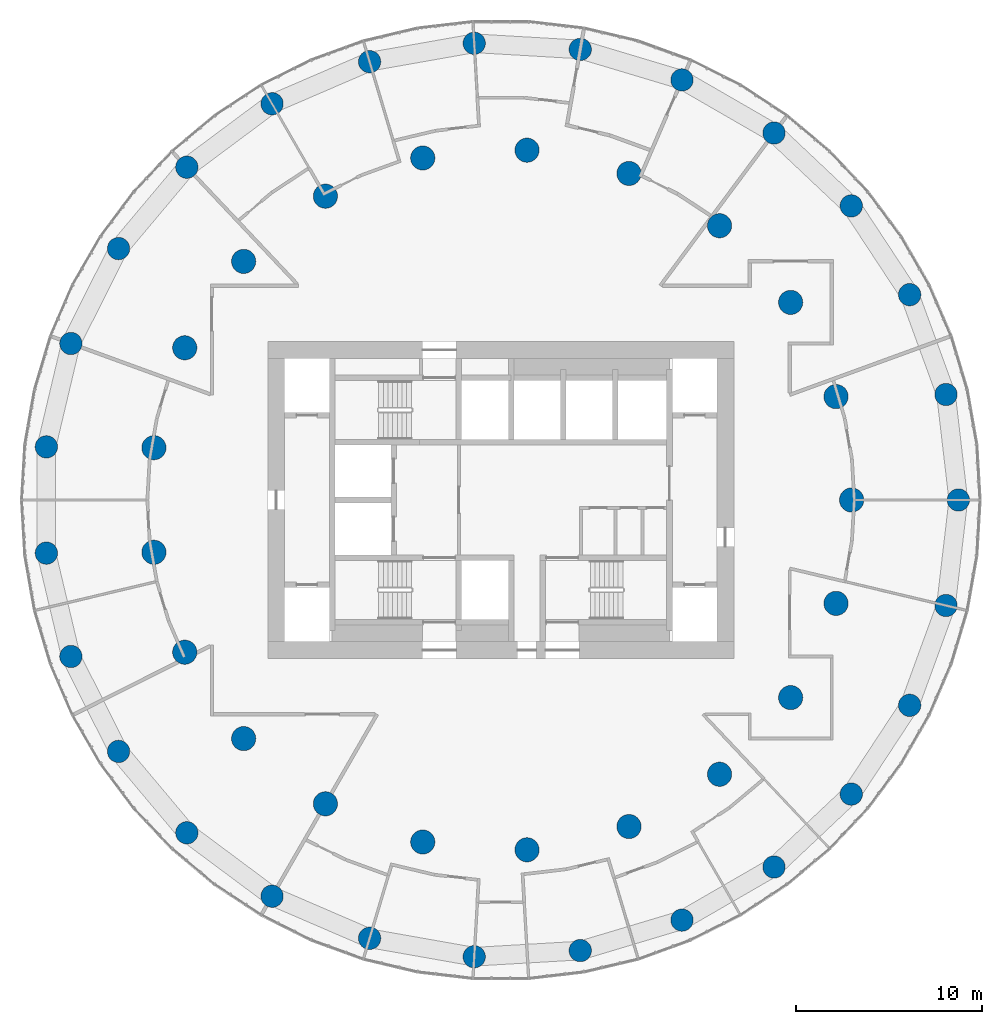
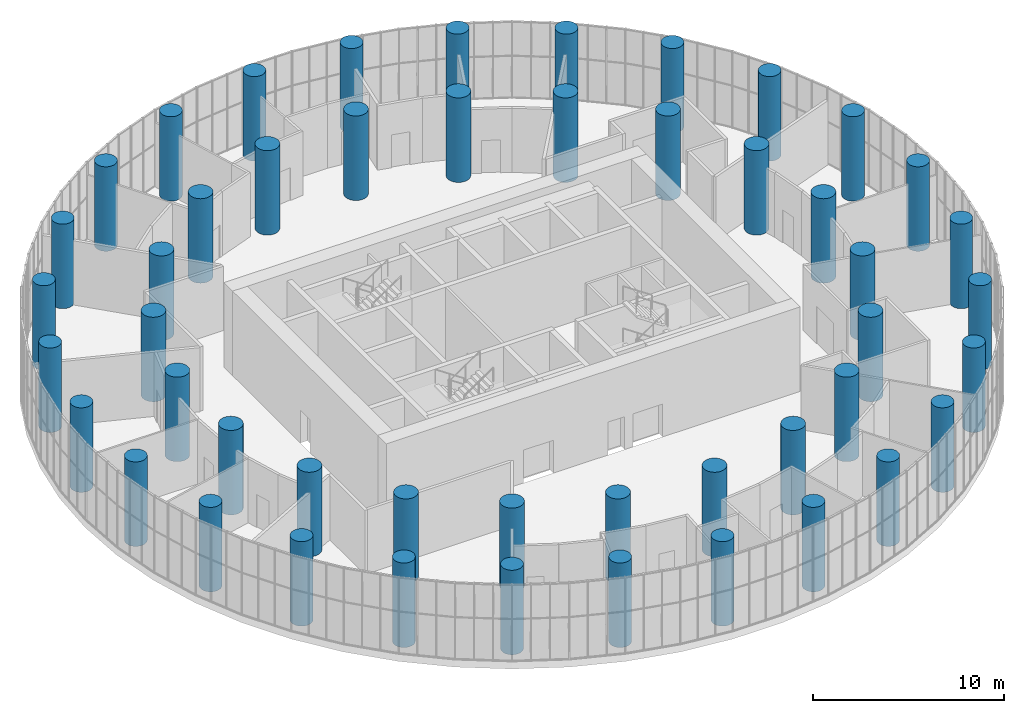
# One storey, part 1 of 21: 48 columns.
"""IFC4 building model written with IfcOpenShell, lengths in metres."""

from ifc_helpers import new_model, si_unit, direction, frame, origin, origin_2d, place, context, subcontext, project, spatial, circle, extrude, material, material_profile, profile_set, type_object, element, save


model = new_model("IFC4")

# Units and contexts
model_context = context("Model", 3, precision=1e-05, world=origin(), true_north=direction((0.0, 1.0)))
body_context = subcontext(model_context, "Body", "Model", "MODEL_VIEW")
ifc_project = project(units=[si_unit("LENGTHUNIT", "METRE"), si_unit("AREAUNIT", "SQUARE_METRE"), si_unit("VOLUMEUNIT", "CUBIC_METRE"), si_unit("PLANEANGLEUNIT", "RADIAN"), si_unit("MASSUNIT", "GRAM", prefix="KILO")], contexts=[model_context])

# Site, building, storey
site_placement = place(None, origin())
site = spatial("IfcSite", under=ifc_project, at=site_placement, CompositionType="ELEMENT")
building_placement = place(site_placement, origin())
building = spatial("IfcBuilding", under=site, at=building_placement, Name="Tracery Tower", CompositionType="ELEMENT")
storey_placement = place(building_placement, frame((0.0, 0.0, 219.60009765625)))
storey = spatial("IfcBuildingStorey", under=building, at=storey_placement, Name="L57", CompositionType="ELEMENT", Elevation=219.60009765625)

# Columns
ifc_material_1 = material(Name="Concrete C50/60", Category="concrete")
ifc_material_profile_1 = material_profile(ifc_material_1, circle(Radius=0.60009765625, at=origin_2d()), Name="RC D1200")
ifc_profile_set_1 = profile_set([ifc_material_profile_1], Name="Concrete C50/60")
column_type_1 = type_object("IfcColumnType", Name="Ring 1 column 1200", PredefinedType="COLUMN", material=ifc_profile_set_1)
for number, where, z_axis, x_axis, name in (
    (1, (24.547607421875, 0.0, 0.0), (0.0, 0.0, 1.0), (1.0, 0.0, 0.0), "Ring 1 column 00 at L57"),
    (2, (23.885986328125, 5.6611328125, 0.0), (0.0, 0.0, 1.0), (1.0, 0.0, 0.0), "Ring 1 column 01 at L57"),
    (3, (21.9365234375, 11.01708984375, 0.0), (0.0, 0.0, 1.0), (1.0, 0.0, 0.0), "Ring 1 column 02 at L57"),
    (4, (18.8046875, 15.779052734375, 0.0), (0.0, 0.0, 1.0), (1.0, 0.0, 0.0), "Ring 1 column 03 at L57"),
    (5, (14.658935546875, 19.690185546875, 0.0), (0.0, 0.0, 1.0), (1.0, 0.0, 0.0), "Ring 1 column 04 at L57"),
    (6, (9.722900390625, 22.5400390625, 0.0), (0.0, 0.0, 1.0), (1.0, 0.0, 0.0), "Ring 1 column 05 at L57"),
    (7, (4.2626953125, 24.1748046875, 0.0), (0.0, 0.0, 1.0), (1.0, 0.0, 0.0), "Ring 1 column 06 at L57"),
    (8, (-1.42724609375, 24.506103515625, 0.0), (0.0, 0.0, 1.0), (1.0, 0.0, 0.0), "Ring 1 column 07 at L57"),
    (9, (-7.040283203125, 23.516357421875, 0.0), (0.0, 0.0, 1.0), (1.0, 0.0, 0.0), "Ring 1 column 08 at L57"),
    (10, (-12.273681640625, 21.2587890625, 0.0), (0.0, 0.0, 1.0), (1.0, 0.0, 0.0), "Ring 1 column 09 at L57"),
    (11, (-16.845703125, 17.855224609375, 0.0), (0.0, 0.0, 1.0), (1.0, 0.0, 0.0), "Ring 1 column 10 at L57"),
    (12, (-20.50927734375, 13.4892578125, 0.0), (0.0, 0.0, 1.0), (1.0, 0.0, 0.0), "Ring 1 column 11 at L57"),
    (13, (-23.0673828125, 8.395751953125, 0.0), (0.0, 0.0, 1.0), (1.0, 0.0, 0.0), "Ring 1 column 12 at L57"),
    (14, (-24.381591796875, 2.849853515625, 0.0), (0.0, 0.0, 1.0), (1.0, 0.0, 0.0), "Ring 1 column 13 at L57"),
    (15, (-24.381591796875, -2.849853515625, 0.0), (0.0, 0.0, 1.0), (1.0, 0.0, 0.0), "Ring 1 column 14 at L57"),
    (16, (-23.0673828125, -8.395751953125, 0.0), (0.0, 0.0, 1.0), (1.0, 0.0, 0.0), "Ring 1 column 15 at L57"),
    (17, (-20.50927734375, -13.4892578125, 0.0), (0.0, 0.0, 1.0), (1.0, 0.0, 0.0), "Ring 1 column 16 at L57"),
    (18, (-16.845703125, -17.85546875, 0.0), (0.0, 0.0, 1.0), (1.0, 0.0, 0.0), "Ring 1 column 17 at L57"),
    (19, (-12.27392578125, -21.2587890625, 0.0), (0.0, 0.0, 1.0), (1.0, 0.0, 0.0), "Ring 1 column 18 at L57"),
    (20, (-7.040283203125, -23.516357421875, 0.0), (0.0, 0.0, 1.0), (1.0, 0.0, 0.0), "Ring 1 column 19 at L57"),
    (21, (-1.42724609375, -24.506103515625, 0.0), (0.0, 0.0, 1.0), (1.0, 0.0, 0.0), "Ring 1 column 20 at L57"),
    (22, (4.2626953125, -24.1748046875, 0.0), (0.0, 0.0, 1.0), (1.0, 0.0, 0.0), "Ring 1 column 21 at L57"),
    (23, (9.722900390625, -22.5400390625, 0.0), (0.0, 0.0, 1.0), (1.0, 0.0, 0.0), "Ring 1 column 22 at L57"),
    (24, (14.658935546875, -19.690185546875, 0.0), (0.0, 0.0, 1.0), (1.0, 0.0, 0.0), "Ring 1 column 23 at L57"),
    (25, (18.8046875, -15.779052734375, 0.0), (0.0, 0.0, 1.0), (1.0, 0.0, 0.0), "Ring 1 column 24 at L57"),
    (26, (21.9365234375, -11.01708984375, 0.0), (0.0, 0.0, 1.0), (1.0, 0.0, 0.0), "Ring 1 column 25 at L57"),
    (27, (23.885986328125, -5.6611328125, 0.0), (0.0, 0.0, 1.0), (1.0, 0.0, 0.0), "Ring 1 column 26 at L57"),
):
    element("IfcColumn", number, at=place(storey_placement, frame(where, z_axis=z_axis, x_axis=x_axis)), inside=storey, type_object=column_type_1, Name=name, PredefinedType="COLUMN", context=body_context, shape_type="SweptSolid", body=[
        extrude(circle(Radius=0.60009765625, at=origin_2d()), origin(), (0.0, 0.0, 1.0), 5.39990234375),
    ])
ifc_material_2 = material(Name="Concrete C50/60", Category="concrete")
ifc_material_profile_2 = material_profile(ifc_material_2, circle(Radius=0.64990234375, at=origin_2d()), Name="RC D1300")
ifc_profile_set_2 = profile_set([ifc_material_profile_2], Name="Concrete C50/60")
column_type_2 = type_object("IfcColumnType", Name="Ring 2 column 1300", PredefinedType="COLUMN", material=ifc_profile_set_2)
for number, where, z_axis, x_axis, name in (
    (28, (18.822265625, 0.0, 0.0), (0.0, 0.0, 1.0), (1.0, 0.0, 0.0), "Ring 2 column 00 at L57"),
    (29, (17.986083984375, 5.5478515625, 0.0), (0.0, 0.0, 1.0), (1.0, 0.0, 0.0), "Ring 2 column 01 at L57"),
    (30, (15.551513671875, 10.602783203125, 0.0), (0.0, 0.0, 1.0), (1.0, 0.0, 0.0), "Ring 2 column 02 at L57"),
    (31, (11.7353515625, 14.7158203125, 0.0), (0.0, 0.0, 1.0), (1.0, 0.0, 0.0), "Ring 2 column 03 at L57"),
    (32, (6.87646484375, 17.52099609375, 0.0), (0.0, 0.0, 1.0), (1.0, 0.0, 0.0), "Ring 2 column 04 at L57"),
    (33, (1.406494140625, 18.76953125, 0.0), (0.0, 0.0, 1.0), (1.0, 0.0, 0.0), "Ring 2 column 05 at L57"),
    (34, (-4.188232421875, 18.350341796875, 0.0), (0.0, 0.0, 1.0), (1.0, 0.0, 0.0), "Ring 2 column 06 at L57"),
    (35, (-9.4111328125, 16.300537109375, 0.0), (0.0, 0.0, 1.0), (1.0, 0.0, 0.0), "Ring 2 column 07 at L57"),
    (36, (-13.797607421875, 12.802490234375, 0.0), (0.0, 0.0, 1.0), (1.0, 0.0, 0.0), "Ring 2 column 08 at L57"),
    (37, (-16.958251953125, 8.16650390625, 0.0), (0.0, 0.0, 1.0), (1.0, 0.0, 0.0), "Ring 2 column 09 at L57"),
    (38, (-18.612060546875, 2.805419921875, 0.0), (0.0, 0.0, 1.0), (1.0, 0.0, 0.0), "Ring 2 column 10 at L57"),
    (39, (-18.612060546875, -2.805419921875, 0.0), (0.0, 0.0, 1.0), (1.0, 0.0, 0.0), "Ring 2 column 11 at L57"),
    (40, (-16.958251953125, -8.166748046875, 0.0), (0.0, 0.0, 1.0), (1.0, 0.0, 0.0), "Ring 2 column 12 at L57"),
    (41, (-13.797607421875, -12.80224609375, 0.0), (0.0, 0.0, 1.0), (1.0, 0.0, 0.0), "Ring 2 column 13 at L57"),
    (42, (-9.4111328125, -16.300537109375, 0.0), (0.0, 0.0, 1.0), (1.0, 0.0, 0.0), "Ring 2 column 14 at L57"),
    (43, (-4.188232421875, -18.350341796875, 0.0), (0.0, 0.0, 1.0), (1.0, 0.0, 0.0), "Ring 2 column 15 at L57"),
    (44, (1.406494140625, -18.76953125, 0.0), (0.0, 0.0, 1.0), (1.0, 0.0, 0.0), "Ring 2 column 16 at L57"),
    (45, (6.87646484375, -17.52099609375, 0.0), (0.0, 0.0, 1.0), (1.0, 0.0, 0.0), "Ring 2 column 17 at L57"),
    (46, (11.7353515625, -14.7158203125, 0.0), (0.0, 0.0, 1.0), (1.0, 0.0, 0.0), "Ring 2 column 18 at L57"),
    (47, (15.551513671875, -10.602783203125, 0.0), (0.0, 0.0, 1.0), (1.0, 0.0, 0.0), "Ring 2 column 19 at L57"),
    (48, (17.986083984375, -5.5478515625, 0.0), (0.0, 0.0, 1.0), (1.0, 0.0, 0.0), "Ring 2 column 20 at L57"),
):
    element("IfcColumn", number, at=place(storey_placement, frame(where, z_axis=z_axis, x_axis=x_axis)), inside=storey, type_object=column_type_2, Name=name, PredefinedType="COLUMN", context=body_context, shape_type="SweptSolid", body=[
        extrude(circle(Radius=0.64990234375, at=origin_2d()), origin(), (0.0, 0.0, 1.0), 5.39990234375),
    ])

save(model, "model.ifc")
